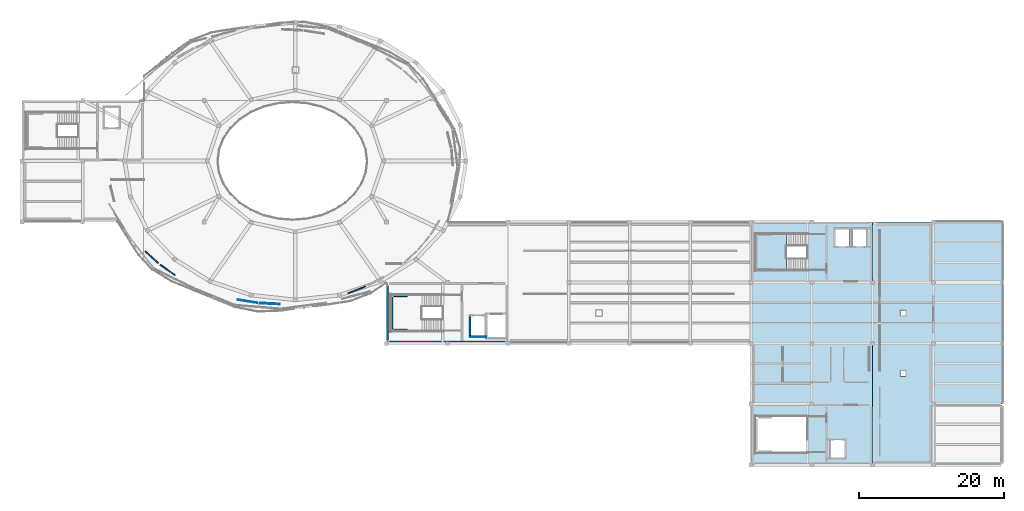
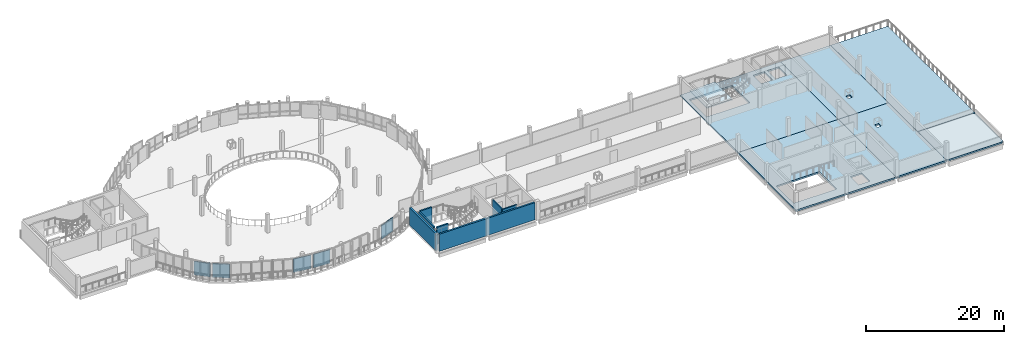
# One storey, part 30 of 43: 12 walls, 7 slabs, 1 element without a shape of its own.
"""IFC4 building model written with IfcOpenShell, lengths in metres."""

from ifc_helpers import new_model, si_unit, derived_unit, direction, frame, frame_2d, origin, place, context, subcontext, project, spatial, polyline, rectangle, outline, extrude, material, layer, layer_set, type_object, element, aggregate, save


model = new_model("IFC4")

# Units and contexts
model_context = context("Model", 3, precision=1e-05, world=origin(), true_north=direction((0.0, 1.0)))
body_context = subcontext(model_context, "Body", "Model", "MODEL_VIEW")
ifc_project = project(units=[si_unit("LENGTHUNIT", "METRE"), si_unit("AREAUNIT", "SQUARE_METRE"), si_unit("VOLUMEUNIT", "CUBIC_METRE"), si_unit("PLANEANGLEUNIT", "RADIAN"), si_unit("MASSUNIT", "GRAM", prefix="KILO"), derived_unit("THERMALTRANSMITTANCEUNIT", [(si_unit("POWERUNIT", "WATT"), 1), (si_unit("LENGTHUNIT", "METRE"), -2), (si_unit("THERMODYNAMICTEMPERATUREUNIT", "KELVIN"), -1)])], contexts=[model_context])

# Site, building, storey
site_placement = place(None, origin())
site = spatial("IfcSite", under=ifc_project, at=site_placement, CompositionType="ELEMENT")
building_placement = place(site_placement, origin())
building = spatial("IfcBuilding", under=site, at=building_placement, Name="Elbkamm Science Centre", CompositionType="ELEMENT")
storey_placement = place(building_placement, frame((0.0, 0.0, 18.300048828125)))
storey = spatial("IfcBuildingStorey", under=building, at=storey_placement, Name="L04", CompositionType="ELEMENT", Elevation=18.300048828125)

# Slabs
ifc_material_1 = material(Name="Exposed freeze-thaw concrete C40/50", Category="concrete")
ifc_layer_1 = layer(ifc_material_1, 0.219970703125)
ifc_layer_set_1 = layer_set([ifc_layer_1], Name="Exposed freeze-thaw concrete C40/50")
slab_type_1 = type_object("IfcSlabType", Name="SLAB-DECK-220", PredefinedType="FLOOR", material=ifc_layer_set_1)
slab_1_placement = place(storey_placement, frame((0.0, 0.0, -0.219970703125)))
element("IfcSlab", 1, at=slab_1_placement, inside=storey, type_object=slab_type_1, Name="Science Library East Reading Terrace", PredefinedType="FLOOR", context=body_context, shape_type="SweptSolid", body=[
    extrude(outline(polyline([(160.800048828125, 33.60009765625), (151.205078125, 33.60009765625), (151.205078125, 58.800048828125), (160.800048828125, 58.800048828125), (160.800048828125, 33.60009765625)])), origin(), (0.0, 0.0, 1.0), 0.219970703125),
])
ifc_material_2 = material(Name="Reinforced concrete C40/50", Category="concrete")
ifc_layer_2 = layer(ifc_material_2, 0.280029296875)
ifc_layer_set_2 = layer_set([ifc_layer_2], Name="Reinforced concrete C40/50")
slab_type_2 = type_object("IfcSlabType", Name="SLAB-FLR-280", PredefinedType="FLOOR", material=ifc_layer_set_2)
slab_2_placement = place(storey_placement, frame((0.0, 0.0, -0.280029296875)))
element("IfcSlab", 2, at=slab_2_placement, inside=storey, type_object=slab_type_2, Name="L04 Structural Slab E1S-05", PredefinedType="FLOOR", context=body_context, shape_type="SweptSolid", body=[
    extrude(outline(polyline([(126.02490234375, 25.199951171875), (126.02490234375, 42.0), (142.800048828125, 42.0), (142.800048828125, 25.199951171875), (126.02490234375, 25.199951171875)]), holes=[polyline([(126.60009765625, 26.8798828125), (133.780029296875, 26.8798828125), (133.780029296875, 31.919921875), (126.60009765625, 31.919921875), (126.60009765625, 26.8798828125)]), polyline([(137.050048828125, 26.199951171875), (138.949951171875, 26.199951171875), (138.949951171875, 28.60009765625), (137.050048828125, 28.60009765625), (137.050048828125, 26.199951171875)])]), origin(), (0.0, 0.0, 1.0), 0.280029296875),
])
slab_3_placement = place(storey_placement, frame((0.0, 0.0, -0.280029296875)))
element("IfcSlab", 3, at=slab_3_placement, inside=storey, type_object=slab_type_2, Name="L04 Structural Slab E1M-06", PredefinedType="FLOOR", context=body_context, shape_type="SweptSolid", body=[
    extrude(outline(polyline([(126.02490234375, 58.800048828125), (142.800048828125, 58.800048828125), (142.800048828125, 42.0), (126.02490234375, 42.0), (126.02490234375, 58.800048828125)]), holes=[polyline([(126.60009765625, 57.1201171875), (126.60009765625, 52.080078125), (133.780029296875, 52.080078125), (133.780029296875, 57.1201171875), (126.60009765625, 57.1201171875)]), polyline([(137.64990234375, 57.800048828125), (137.64990234375, 55.39990234375), (139.550048828125, 55.39990234375), (139.550048828125, 57.800048828125), (137.64990234375, 57.800048828125)]), polyline([(141.949951171875, 57.800048828125), (140.050048828125, 57.800048828125), (140.050048828125, 55.39990234375), (141.949951171875, 55.39990234375), (141.949951171875, 57.800048828125)])]), origin(), (0.0, 0.0, 1.0), 0.280029296875),
])
slab_4_placement = place(storey_placement, frame((0.0, 0.0, -0.280029296875)))
element("IfcSlab", 4, at=slab_4_placement, inside=storey, type_object=slab_type_2, Name="L04 Structural Slab E2S-07", PredefinedType="FLOOR", context=body_context, shape_type="SweptSolid", body=[
    extrude(outline(polyline([(142.800048828125, 25.199951171875), (142.800048828125, 42.0), (151.199951171875, 42.0), (151.199951171875, 25.199951171875), (142.800048828125, 25.199951171875)]), holes=[polyline([(147.35009765625, 38.14990234375), (146.64990234375, 38.14990234375), (146.64990234375, 37.449951171875), (147.35009765625, 37.449951171875), (147.35009765625, 38.14990234375)])]), origin(), (0.0, 0.0, 1.0), 0.280029296875),
])
slab_5_placement = place(storey_placement, frame((0.0, 0.0, -0.280029296875)))
element("IfcSlab", 5, at=slab_5_placement, inside=storey, type_object=slab_type_2, Name="L04 Structural Slab E2M-08", PredefinedType="FLOOR", context=body_context, shape_type="SweptSolid", body=[
    extrude(outline(polyline([(151.199951171875, 42.0), (142.800048828125, 42.0), (142.800048828125, 58.800048828125), (151.199951171875, 58.800048828125), (151.199951171875, 42.0)]), holes=[polyline([(147.35009765625, 46.550048828125), (146.64990234375, 46.550048828125), (146.64990234375, 45.85009765625), (147.35009765625, 45.85009765625), (147.35009765625, 46.550048828125)])]), origin(), (0.0, 0.0, 1.0), 0.280029296875),
])

# Stair, slab
stair_type = type_object("IfcStairType", Name="ST-TWO-20R-165", PredefinedType="USERDEFINED", material=ifc_material_2)
stair_placement = place(storey_placement, origin())
stair = element("IfcStair", 6, at=stair_placement, inside=storey, type_object=stair_type, Name="L04 Core C3 Northeast Laboratories and Observatory Core Escape Stair", ObjectType="TWO_RETURN_STAIR", PredefinedType="USERDEFINED")
ifc_layer_3 = layer(ifc_material_2, 0.199951171875)
ifc_layer_set_3 = layer_set([ifc_layer_3], Name="Reinforced concrete C40/50")
slab_type_3 = type_object("IfcSlabType", Name="SLAB-LAND-200", PredefinedType="LANDING", material=ifc_layer_set_3)
slab_6_placement = place(storey_placement, frame((0.0, 0.0, 1.449951171875)))
slab_6 = element("IfcSlab", 7, at=slab_6_placement, type_object=slab_type_3, Name="ST-C3 landing 1", PredefinedType="LANDING", context=body_context, shape_type="SweptSolid", body=[
    extrude(outline(polyline([(130.89990234375, 57.1201171875), (126.60009765625, 57.1201171875), (126.60009765625, 52.080078125), (130.89990234375, 52.080078125), (130.89990234375, 57.1201171875)])), origin(), (0.0, 0.0, 1.0), 0.199951171875),
])
aggregate(stair, [slab_6])

# Slab
ifc_layer_4 = layer(ifc_material_2, 0.27001953125)
ifc_layer_set_4 = layer_set([ifc_layer_4], Name="Reinforced concrete C40/50")
slab_type_4 = type_object("IfcSlabType", Name="SLAB-ROOF-270", PredefinedType="ROOF", material=ifc_layer_set_4)
slab_7_placement = place(storey_placement, frame((0.0, 0.0, -0.27001953125)))
element("IfcSlab", 8, at=slab_7_placement, inside=storey, type_object=slab_type_4, Name="L04 Step-Back Roof Slab 01", PredefinedType="ROOF", context=body_context, shape_type="SweptSolid", body=[
    extrude(outline(polyline([(151.59228515625, 25.20849609375), (151.54931640625, 25.219482421875), (151.5078125, 25.234375), (151.468017578125, 25.253173828125), (151.429931640625, 25.27587890625), (151.39453125, 25.302001953125), (151.36181640625, 25.331787109375), (151.33203125, 25.364501953125), (151.305908203125, 25.39990234375), (151.283203125, 25.43798828125), (151.264404296875, 25.477783203125), (151.24951171875, 25.519287109375), (151.238525390625, 25.562255859375), (151.232177734375, 25.60595703125), (151.22998046875, 25.64990234375), (151.22998046875, 33.1201171875), (151.232177734375, 33.1640625), (151.238525390625, 33.207763671875), (151.24951171875, 33.25048828125), (151.264404296875, 33.292236328125), (151.283203125, 33.33203125), (151.305908203125, 33.3701171875), (151.33203125, 33.405517578125), (151.36181640625, 33.438232421875), (151.39453125, 33.468017578125), (151.429931640625, 33.494140625), (151.468017578125, 33.516845703125), (151.5078125, 33.53564453125), (151.54931640625, 33.550537109375), (151.59228515625, 33.561279296875), (151.635986328125, 33.56787109375), (151.679931640625, 33.570068359375), (160.35009765625, 33.570068359375), (160.39404296875, 33.56787109375), (160.437744140625, 33.561279296875), (160.480712890625, 33.550537109375), (160.522216796875, 33.53564453125), (160.56201171875, 33.516845703125), (160.60009765625, 33.494140625), (160.635498046875, 33.468017578125), (160.668212890625, 33.438232421875), (160.697998046875, 33.405517578125), (160.72412109375, 33.3701171875), (160.746826171875, 33.33203125), (160.765625, 33.292236328125), (160.780517578125, 33.25048828125), (160.79150390625, 33.207763671875), (160.7978515625, 33.1640625), (160.800048828125, 33.1201171875), (160.800048828125, 25.64990234375), (160.7978515625, 25.60595703125), (160.79150390625, 25.562255859375), (160.780517578125, 25.519287109375), (160.765625, 25.477783203125), (160.746826171875, 25.43798828125), (160.72412109375, 25.39990234375), (160.697998046875, 25.364501953125), (160.668212890625, 25.331787109375), (160.635498046875, 25.302001953125), (160.60009765625, 25.27587890625), (160.56201171875, 25.253173828125), (160.522216796875, 25.234375), (160.480712890625, 25.219482421875), (160.437744140625, 25.20849609375), (160.39404296875, 25.2021484375), (160.35009765625, 25.199951171875), (151.679931640625, 25.199951171875), (151.635986328125, 25.2021484375), (151.59228515625, 25.20849609375)])), origin(), (0.0, 0.0, 1.0), 0.27001953125),
])

# Walls
ifc_layer_5 = layer(ifc_material_2, 0.25)
ifc_layer_set_5 = layer_set([ifc_layer_5], Name="Reinforced concrete C40/50")
wall_type_1 = type_object("IfcWallType", Name="WL-CORE-250", PredefinedType="SHEAR", material=ifc_layer_set_5)
wall_1_placement = place(storey_placement, frame((76.340087890625, 44.02001953125, 0.0), z_axis=(0.0, 0.0, 1.0), x_axis=(0.0, 1.0, 0.0)))
element("IfcWall", 9, at=wall_1_placement, inside=storey, type_object=wall_type_1, Name="L04 ST-C2 Shaft Bearing Wall W", PredefinedType="SHEAR", context=body_context, shape_type="SweptSolid", body=[
    extrude(rectangle(XDim=4.35986328125, YDim=0.25, at=frame_2d((2.179931640625, 0.0))), origin(), (0.0, 0.0, 1.0), 3.0400390625),
])
for number, where, z_axis, x_axis, name in (
    (10, (76.590087890625, 43.820068359375, 0.0), (0.0, 0.0, 1.0), (1.0, 0.0, 0.0), "L04 ST-C2 Shaft Bearing Wall S"),
    (11, (76.590087890625, 48.580078125, 0.0), (0.0, 0.0, 1.0), (1.0, 0.0, 0.0), "L04 ST-C2 Shaft Bearing Wall N"),
):
    element("IfcWall", number, at=place(storey_placement, frame(where, z_axis=z_axis, x_axis=x_axis)), inside=storey, type_object=wall_type_1, Name=name, PredefinedType="SHEAR", context=body_context, shape_type="SweptSolid", body=[
        extrude(rectangle(XDim=1.889892578125, YDim=0.25, at=frame_2d((0.94482421875, 0.0))), origin(), (0.0, 0.0, 1.0), 3.0400390625),
    ])
ifc_layer_6 = layer(ifc_material_2, 0.300048828125)
ifc_layer_set_6 = layer_set([ifc_layer_6], Name="Reinforced concrete C40/50")
wall_type_2 = type_object("IfcWallType", Name="WL-CORE-300", PredefinedType="SHEAR", material=ifc_layer_set_6)
wall_2_placement = place(storey_placement, frame((76.02001953125, 42.14990234375, 0.0), z_axis=(0.0, 0.0, 1.0), x_axis=(1.0, 0.0, 0.0)))
element("IfcWall", 12, at=wall_2_placement, inside=storey, type_object=wall_type_2, Name="L04 Core C2 Central Exhibition and Skybridge Core Shear Wall S", PredefinedType="SHEAR", context=body_context, shape_type="SweptSolid", body=[
    extrude(rectangle(XDim=15.9599609375, YDim=0.300048828125, at=frame_2d((7.97998046875, 0.0))), origin(), (0.0, 0.0, 1.0), 3.0400390625),
])
wall_3_placement = place(storey_placement, frame((75.75, 42.419921875, 0.0), z_axis=(0.0, 0.0, 1.0), x_axis=(0.0, 1.0, 0.0)))
element("IfcWall", 13, at=wall_3_placement, inside=storey, type_object=wall_type_2, Name="L04 Core C2 Central Exhibition and Skybridge Core Shear Wall W", PredefinedType="SHEAR", context=body_context, shape_type="SweptSolid", body=[
    extrude(rectangle(XDim=7.56005859375, YDim=0.300048828125, at=frame_2d((3.780029296875, 0.0))), origin(), (0.0, 0.0, 1.0), 3.0400390625),
])
ifc_material_3 = material(Name="Drywall service partition", Category="gypsum")
ifc_layer_7 = layer(ifc_material_3, 0.10009765625)
ifc_layer_set_7 = layer_set([ifc_layer_7], Name="Drywall service partition")
wall_type_3 = type_object("IfcWallType", Name="WL-PART-100", PredefinedType="PARTITIONING", material=ifc_layer_set_7)
wall_4_placement = place(storey_placement, frame((57.7158203125, 47.5908203125, 0.0), z_axis=(0.0, 0.0, 1.0), x_axis=(-0.987623445591, 0.156843647363, 0.0)))
element("IfcWall", 14, at=wall_4_placement, inside=storey, type_object=wall_type_3, Name="L04 Atmospheric and Energy Exhibition Hall Partition 0247", PredefinedType="PARTITIONING", context=body_context, shape_type="SweptSolid", body=[
    extrude(rectangle(XDim=2.731689453125, YDim=0.10009765625, at=frame_2d((1.36572265625, 0.0))), origin(), (0.0, 0.0, 1.0), 2.419921875),
])
ifc_material_4 = material(Name="Lightweight metal-stud gypsum partition", Category="gypsum")
ifc_layer_8 = layer(ifc_material_4, 0.125)
ifc_layer_set_8 = layer_set([ifc_layer_8], Name="Lightweight metal-stud gypsum partition")
wall_type_4 = type_object("IfcWallType", Name="WL-PART-125", PredefinedType="PARTITIONING", material=ifc_layer_set_8)
wall_5_placement = place(storey_placement, frame((60.8203125, 47.409423828125, 0.0), z_axis=(0.0, 0.0, 1.0), x_axis=(-0.998637373498, 0.05218616918, 0.0)))
element("IfcWall", 15, at=wall_5_placement, inside=storey, type_object=wall_type_4, Name="L04 Atmospheric and Energy Exhibition Hall Partition 0246", PredefinedType="PARTITIONING", context=body_context, shape_type="SweptSolid", body=[
    extrude(rectangle(XDim=2.750732421875, YDim=0.125, at=frame_2d((1.37548828125, 0.0))), origin(), (0.0, 0.0, 1.0), 2.419921875),
])
ifc_material_5 = material(Name="Acoustic metal-stud gypsum partition", Category="gypsum")
ifc_layer_9 = layer(ifc_material_5, 0.139892578125)
ifc_layer_set_9 = layer_set([ifc_layer_9], Name="Acoustic metal-stud gypsum partition")
wall_type_5 = type_object("IfcWallType", Name="WL-PART-140", PredefinedType="PARTITIONING", material=ifc_layer_set_9)
wall_6_placement = place(storey_placement, frame((72.732421875, 49.879638671875, 0.0), z_axis=(0.0, 0.0, 1.0), x_axis=(-0.930459020616, -0.366395975626, 0.0)))
element("IfcWall", 16, at=wall_6_placement, inside=storey, type_object=wall_type_5, Name="L04 Atmospheric and Energy Exhibition Hall Partition 0245", PredefinedType="PARTITIONING", context=body_context, shape_type="SweptSolid", body=[
    extrude(rectangle(XDim=2.640625, YDim=0.139892578125, at=frame_2d((1.3203125, 0.0))), origin(), (0.0, 0.0, 1.0), 2.419921875),
])
wall_7_placement = place(storey_placement, frame((44.037841796875, 53.086181640625, 0.0), z_axis=(0.0, 0.0, 1.0), x_axis=(-0.739523821126, 0.673130387062, 0.0)))
element("IfcWall", 17, at=wall_7_placement, inside=storey, type_object=wall_type_5, Name="L04 Atmospheric and Energy Exhibition Hall Partition 0249", PredefinedType="PARTITIONING", context=body_context, shape_type="SweptSolid", body=[
    extrude(rectangle(XDim=2.416015625, YDim=0.139892578125, at=frame_2d((1.2080078125, 0.0))), origin(), (0.0, 0.0, 1.0), 2.419921875),
])
ifc_layer_10 = layer(ifc_material_5, 0.159912109375)
ifc_layer_set_10 = layer_set([ifc_layer_10], Name="Acoustic metal-stud gypsum partition")
wall_type_6 = type_object("IfcWallType", Name="WL-PART-160", PredefinedType="PARTITIONING", material=ifc_layer_set_10)
wall_8_placement = place(storey_placement, frame((46.364013671875, 51.429443359375, 0.0), z_axis=(0.0, 0.0, 1.0), x_axis=(-0.819153833974, 0.573573880407, 0.0)))
element("IfcWall", 18, at=wall_8_placement, inside=storey, type_object=wall_type_6, Name="L04 Atmospheric and Energy Exhibition Hall Partition 0248", PredefinedType="PARTITIONING", context=body_context, shape_type="SweptSolid", body=[
    extrude(rectangle(XDim=2.497314453125, YDim=0.159912109375, at=frame_2d((1.24853515625, 0.0))), origin(), (0.0, 0.0, 1.0), 2.419921875),
])
ifc_layer_11 = layer(ifc_material_2, 0.219970703125)
ifc_layer_set_11 = layer_set([ifc_layer_11], Name="Reinforced concrete C40/50")
wall_type_7 = type_object("IfcWallType", Name="WL-SHAFT-220", PredefinedType="SOLIDWALL", material=ifc_layer_set_11)
wall_9_placement = place(storey_placement, frame((87.139892578125, 43.050048828125, 0.0), z_axis=(0.0, 0.0, 1.0), x_axis=(0.0, 1.0, 0.0)))
element("IfcWall", 19, at=wall_9_placement, inside=storey, type_object=wall_type_7, Name="L04 Lift FF2 Shaft West Wall", PredefinedType="SOLIDWALL", context=body_context, shape_type="SweptSolid", body=[
    extrude(rectangle(XDim=2.699951171875, YDim=0.219970703125, at=frame_2d((1.35009765625, 0.0))), origin(), (0.0, 0.0, 1.0), 3.0400390625),
])
wall_10_placement = place(storey_placement, frame((87.030029296875, 42.93994140625, 0.0), z_axis=(0.0, 0.0, 1.0), x_axis=(1.0, 0.0, 0.0)))
element("IfcWall", 20, at=wall_10_placement, inside=storey, type_object=wall_type_7, Name="L04 Lift FF2 Shaft Back Wall", PredefinedType="SOLIDWALL", context=body_context, shape_type="SweptSolid", body=[
    extrude(rectangle(XDim=2.429931640625, YDim=0.219970703125, at=frame_2d((1.21484375, 0.0))), origin(), (0.0, 0.0, 1.0), 3.0400390625),
])

save(model, "model.ifc")
